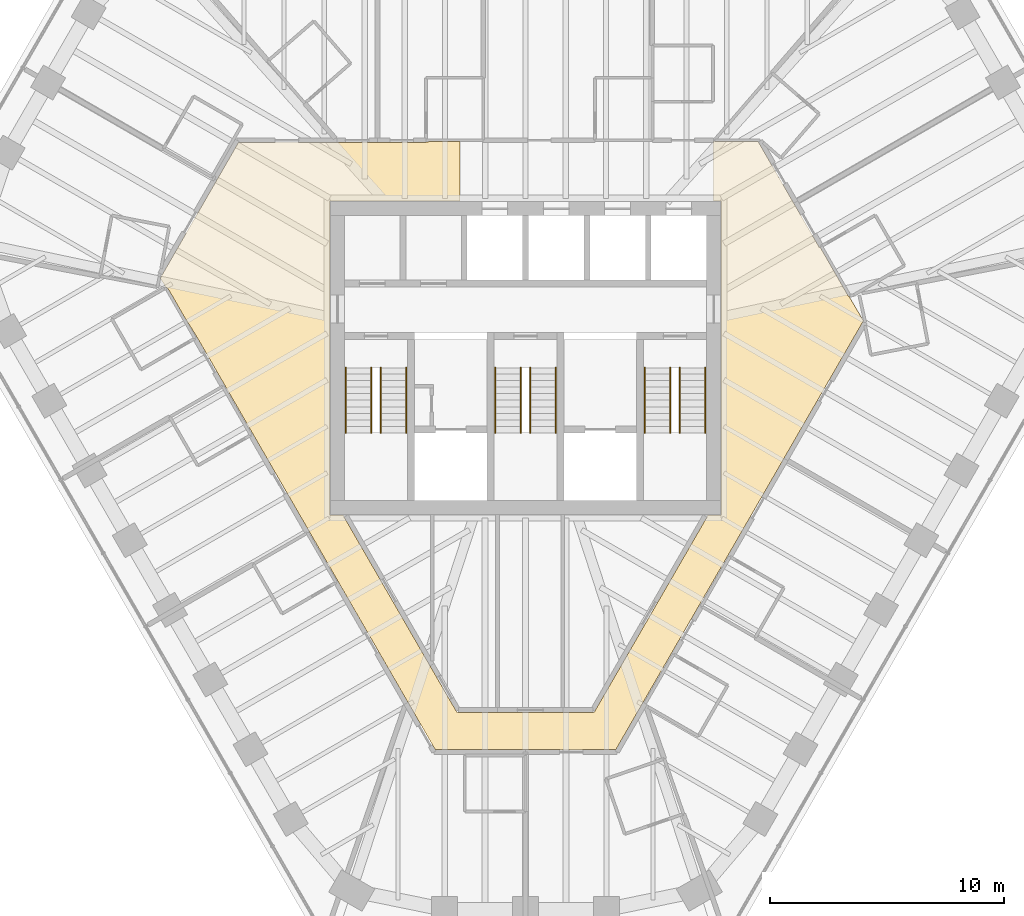
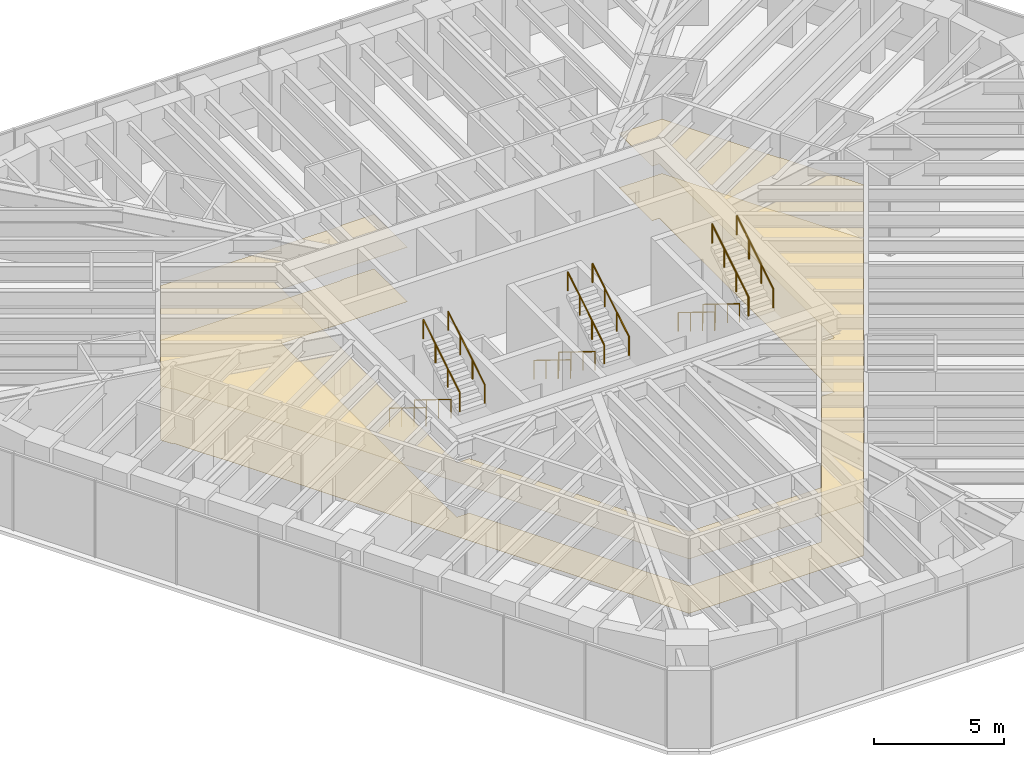
# One storey, part 14 of 14: 12 railings, 2 coverings.
"""IFC4 building model written with IfcOpenShell, lengths in metres."""

from ifc_helpers import new_model, si_unit, direction, frame, origin, origin_2d, place, context, subcontext, project, spatial, polyline, circle, outline, extrude, material, layer, layer_set, type_object, element, save


model = new_model("IFC4")

# Units and contexts
model_context = context("Model", 3, precision=1e-05, world=origin(), true_north=direction((0.0, 1.0)))
body_context = subcontext(model_context, "Body", "Model", "MODEL_VIEW")
ifc_project = project(units=[si_unit("LENGTHUNIT", "METRE"), si_unit("AREAUNIT", "SQUARE_METRE"), si_unit("VOLUMEUNIT", "CUBIC_METRE"), si_unit("PLANEANGLEUNIT", "RADIAN"), si_unit("MASSUNIT", "GRAM", prefix="KILO")], contexts=[model_context])

# Site, building, storey
site_placement = place(None, origin())
site = spatial("IfcSite", under=ifc_project, at=site_placement, CompositionType="ELEMENT")
building_placement = place(site_placement, origin())
building = spatial("IfcBuilding", under=site, at=building_placement, Name="Sandreach Pilgrim Tower", CompositionType="ELEMENT")
storey_placement = place(building_placement, frame((0.0, 0.0, 287.39990234375)))
storey = spatial("IfcBuildingStorey", under=building, at=storey_placement, Name="L72", CompositionType="ELEMENT", Elevation=287.39990234375)

# Coverings
ifc_material_1 = material(Name="Nylon carpet tile on the slab", Category="textile")
ifc_layer_1 = layer(ifc_material_1, 0.008056640625)
ifc_layer_set_1 = layer_set([ifc_layer_1], Name="Carpet tile")
covering_type_1 = type_object("IfcCoveringType", Name="Carpet tile", PredefinedType="FLOORING", material=ifc_layer_set_1)
covering_1_placement = place(storey_placement, origin())
element("IfcCovering", 1, at=covering_1_placement, inside=storey, type_object=covering_type_1, Name="Floor finish 72C Corridor 72", PredefinedType="FLOORING", context=body_context, shape_type="SweptSolid", body=[
    extrude(outline(polyline([(-15.610107421875, 3.4716796875), (-12.292236328125, 9.22998046875), (-4.260009765625, 9.22998046875), (-4.260009765625, 9.263916015625), (-2.800048828125, 9.27001953125), (-2.800048828125, 6.719970703125), (-8.3701171875, 6.719970703125), (-8.3701171875, -6.719970703125), (-7.812744140625, -6.719970703125), (-2.937744140625, -15.159912109375), (2.937744140625, -15.159912109375), (7.812744140625, -6.719970703125), (8.3701171875, -6.719970703125), (8.3701171875, 6.719970703125), (8.050048828125, 6.719970703125), (8.050048828125, 9.27001953125), (9.95751953125, 9.27001953125), (12.576416015625, 4.74169921875), (12.607421875, 4.759521484375), (13.827880859375, 2.64013671875), (13.84619140625, 2.650634765625), (14.464111328125, 1.5986328125), (3.8623046875, -16.760009765625), (-3.8623046875, -16.760009765625), (-14.0634765625, 0.89990234375), (-14.656982421875, 1.854736328125), (-15.307861328125, 2.98974609375), (-15.348388671875, 2.966796875), (-15.356201171875, 2.979248046875), (-15.34814453125, 3.018798828125), (-15.385498046875, 3.0263671875), (-15.62255859375, 3.407470703125), (-15.610107421875, 3.4716796875)])), origin(), (0.0, 0.0, 1.0), 0.008056640625),
])
ifc_material_2 = material(Name="Gypsum board suspended ceiling on a steel grid", Category="steel")
ifc_layer_2 = layer(ifc_material_2, 0.012939453125)
ifc_layer_set_2 = layer_set([ifc_layer_2], Name="Gypsum board suspended ceiling")
covering_type_2 = type_object("IfcCoveringType", Name="Gypsum board suspended ceiling", PredefinedType="CEILING", material=ifc_layer_set_2)
covering_2_placement = place(storey_placement, frame((0.0, 0.0, 2.550048828125)))
element("IfcCovering", 2, at=covering_2_placement, inside=storey, type_object=covering_type_2, Name="Ceiling 72C Corridor 72", PredefinedType="CEILING", context=body_context, shape_type="SweptSolid", body=[
    extrude(outline(polyline([(-15.610107421875, 3.4716796875), (-12.292236328125, 9.22998046875), (-4.260009765625, 9.22998046875), (-4.260009765625, 9.263916015625), (-2.800048828125, 9.27001953125), (-2.800048828125, 6.719970703125), (-8.3701171875, 6.719970703125), (-8.3701171875, -6.719970703125), (-7.812744140625, -6.719970703125), (-2.937744140625, -15.159912109375), (2.937744140625, -15.159912109375), (7.812744140625, -6.719970703125), (8.3701171875, -6.719970703125), (8.3701171875, 6.719970703125), (8.050048828125, 6.719970703125), (8.050048828125, 9.27001953125), (9.95751953125, 9.27001953125), (12.576416015625, 4.74169921875), (12.607421875, 4.759521484375), (13.827880859375, 2.64013671875), (13.84619140625, 2.650634765625), (14.464111328125, 1.5986328125), (3.8623046875, -16.760009765625), (-3.8623046875, -16.760009765625), (-14.0634765625, 0.89990234375), (-14.656982421875, 1.854736328125), (-15.307861328125, 2.98974609375), (-15.348388671875, 2.966796875), (-15.356201171875, 2.979248046875), (-15.34814453125, 3.018798828125), (-15.385498046875, 3.0263671875), (-15.62255859375, 3.407470703125), (-15.610107421875, 3.4716796875)])), origin(), (0.0, 0.0, 1.0), 0.012939453125),
])

# Railings
ifc_material_3 = material(Name="Stainless steel tube", Category="steel")
railing_type = type_object("IfcRailingType", Name="Stair handrail", PredefinedType="HANDRAIL", material=ifc_material_3)
for number, where, name in (
    (3, (-6.60009765625, -0.39990234375, 0.1728515625), "Handrail ST1 L72 flight 1"),
    (4, (-7.699951171875, -0.39990234375, 0.1728515625), "Handrail ST1 L72 flight 1"),
):
    element("IfcRailing", number, at=place(storey_placement, frame(where)), inside=storey, type_object=railing_type, Name=name, PredefinedType="HANDRAIL", context=body_context, shape_type="SweptSolid", body=[
        extrude(circle(Radius=0.02392578125, at=origin_2d()), frame((0.0, 0.0, 0.8759765625), z_axis=(0.0, -0.851089632645, 0.525020415988), x_axis=(1.0, 0.0, 0.0)), (0.0, 0.0, 1.0), 3.2900390625),
        extrude(circle(Radius=0.02099609375, at=origin_2d()), origin(), (0.0, 0.0, 1.0), 0.851806640625),
        extrude(circle(Radius=0.02099609375, at=origin_2d()), frame((0.0, -0.933349609375, 0.57568359375)), (0.0, 0.0, 1.0), 0.851806640625),
        extrude(circle(Radius=0.02099609375, at=origin_2d()), frame((0.0, -1.86669921875, 1.151611328125)), (0.0, 0.0, 1.0), 0.851806640625),
        extrude(circle(Radius=0.02099609375, at=origin_2d()), frame((0.0, -2.800048828125, 1.727294921875)), (0.0, 0.0, 1.0), 0.851806640625),
    ])
for number, where, name in (
    (5, (-6.199951171875, -3.199951171875, 2.07275390625), "Handrail ST1 L72 flight 2"),
    (6, (-5.10009765625, -3.199951171875, 2.07275390625), "Handrail ST1 L72 flight 2"),
):
    element("IfcRailing", number, at=place(storey_placement, frame(where)), inside=storey, type_object=railing_type, Name=name, PredefinedType="HANDRAIL", context=body_context, shape_type="SweptSolid", body=[
        extrude(circle(Radius=0.02392578125, at=origin_2d()), frame((0.0, 0.0, 0.8759765625), z_axis=(0.0, 0.851089632645, 0.525020415988), x_axis=(-1.0, 0.0, 0.0)), (0.0, 0.0, 1.0), 3.2900390625),
        extrude(circle(Radius=0.02099609375, at=origin_2d()), origin(), (0.0, 0.0, 1.0), 0.851806640625),
        extrude(circle(Radius=0.02099609375, at=origin_2d()), frame((0.0, 0.933349609375, 0.57568359375)), (0.0, 0.0, 1.0), 0.851806640625),
        extrude(circle(Radius=0.02099609375, at=origin_2d()), frame((0.0, 1.86669921875, 1.151611328125)), (0.0, 0.0, 1.0), 0.851806640625),
        extrude(circle(Radius=0.02099609375, at=origin_2d()), frame((0.0, 2.800048828125, 1.727294921875)), (0.0, 0.0, 1.0), 0.851806640625),
    ])
for number, where, name in (
    (7, (-0.199951171875, -0.39990234375, 0.1728515625), "Handrail ST3 L72 flight 1"),
    (8, (-1.300048828125, -0.39990234375, 0.1728515625), "Handrail ST3 L72 flight 1"),
):
    element("IfcRailing", number, at=place(storey_placement, frame(where)), inside=storey, type_object=railing_type, Name=name, PredefinedType="HANDRAIL", context=body_context, shape_type="SweptSolid", body=[
        extrude(circle(Radius=0.02392578125, at=origin_2d()), frame((0.0, 0.0, 0.8759765625), z_axis=(0.0, -0.851089632645, 0.525020415988), x_axis=(1.0, 0.0, 0.0)), (0.0, 0.0, 1.0), 3.2900390625),
        extrude(circle(Radius=0.02099609375, at=origin_2d()), origin(), (0.0, 0.0, 1.0), 0.851806640625),
        extrude(circle(Radius=0.02099609375, at=origin_2d()), frame((0.0, -0.933349609375, 0.57568359375)), (0.0, 0.0, 1.0), 0.851806640625),
        extrude(circle(Radius=0.02099609375, at=origin_2d()), frame((0.0, -1.86669921875, 1.151611328125)), (0.0, 0.0, 1.0), 0.851806640625),
        extrude(circle(Radius=0.02099609375, at=origin_2d()), frame((0.0, -2.800048828125, 1.727294921875)), (0.0, 0.0, 1.0), 0.851806640625),
    ])
for number, where, name in (
    (9, (0.199951171875, -3.199951171875, 2.07275390625), "Handrail ST3 L72 flight 2"),
    (10, (1.300048828125, -3.199951171875, 2.07275390625), "Handrail ST3 L72 flight 2"),
):
    element("IfcRailing", number, at=place(storey_placement, frame(where)), inside=storey, type_object=railing_type, Name=name, PredefinedType="HANDRAIL", context=body_context, shape_type="SweptSolid", body=[
        extrude(circle(Radius=0.02392578125, at=origin_2d()), frame((0.0, 0.0, 0.8759765625), z_axis=(0.0, 0.851089632645, 0.525020415988), x_axis=(-1.0, 0.0, 0.0)), (0.0, 0.0, 1.0), 3.2900390625),
        extrude(circle(Radius=0.02099609375, at=origin_2d()), origin(), (0.0, 0.0, 1.0), 0.851806640625),
        extrude(circle(Radius=0.02099609375, at=origin_2d()), frame((0.0, 0.933349609375, 0.57568359375)), (0.0, 0.0, 1.0), 0.851806640625),
        extrude(circle(Radius=0.02099609375, at=origin_2d()), frame((0.0, 1.86669921875, 1.151611328125)), (0.0, 0.0, 1.0), 0.851806640625),
        extrude(circle(Radius=0.02099609375, at=origin_2d()), frame((0.0, 2.800048828125, 1.727294921875)), (0.0, 0.0, 1.0), 0.851806640625),
    ])
for number, where, name in (
    (11, (6.199951171875, -0.39990234375, 0.1728515625), "Handrail ST2 L72 flight 1"),
    (12, (5.10009765625, -0.39990234375, 0.1728515625), "Handrail ST2 L72 flight 1"),
):
    element("IfcRailing", number, at=place(storey_placement, frame(where)), inside=storey, type_object=railing_type, Name=name, PredefinedType="HANDRAIL", context=body_context, shape_type="SweptSolid", body=[
        extrude(circle(Radius=0.02392578125, at=origin_2d()), frame((0.0, 0.0, 0.8759765625), z_axis=(0.0, -0.851089632645, 0.525020415988), x_axis=(1.0, 0.0, 0.0)), (0.0, 0.0, 1.0), 3.2900390625),
        extrude(circle(Radius=0.02099609375, at=origin_2d()), origin(), (0.0, 0.0, 1.0), 0.851806640625),
        extrude(circle(Radius=0.02099609375, at=origin_2d()), frame((0.0, -0.933349609375, 0.57568359375)), (0.0, 0.0, 1.0), 0.851806640625),
        extrude(circle(Radius=0.02099609375, at=origin_2d()), frame((0.0, -1.86669921875, 1.151611328125)), (0.0, 0.0, 1.0), 0.851806640625),
        extrude(circle(Radius=0.02099609375, at=origin_2d()), frame((0.0, -2.800048828125, 1.727294921875)), (0.0, 0.0, 1.0), 0.851806640625),
    ])
for number, where, name in (
    (13, (6.60009765625, -3.199951171875, 2.07275390625), "Handrail ST2 L72 flight 2"),
    (14, (7.699951171875, -3.199951171875, 2.07275390625), "Handrail ST2 L72 flight 2"),
):
    element("IfcRailing", number, at=place(storey_placement, frame(where)), inside=storey, type_object=railing_type, Name=name, PredefinedType="HANDRAIL", context=body_context, shape_type="SweptSolid", body=[
        extrude(circle(Radius=0.02392578125, at=origin_2d()), frame((0.0, 0.0, 0.8759765625), z_axis=(0.0, 0.851089632645, 0.525020415988), x_axis=(-1.0, 0.0, 0.0)), (0.0, 0.0, 1.0), 3.2900390625),
        extrude(circle(Radius=0.02099609375, at=origin_2d()), origin(), (0.0, 0.0, 1.0), 0.851806640625),
        extrude(circle(Radius=0.02099609375, at=origin_2d()), frame((0.0, 0.933349609375, 0.57568359375)), (0.0, 0.0, 1.0), 0.851806640625),
        extrude(circle(Radius=0.02099609375, at=origin_2d()), frame((0.0, 1.86669921875, 1.151611328125)), (0.0, 0.0, 1.0), 0.851806640625),
        extrude(circle(Radius=0.02099609375, at=origin_2d()), frame((0.0, 2.800048828125, 1.727294921875)), (0.0, 0.0, 1.0), 0.851806640625),
    ])

save(model, "model.ifc")
